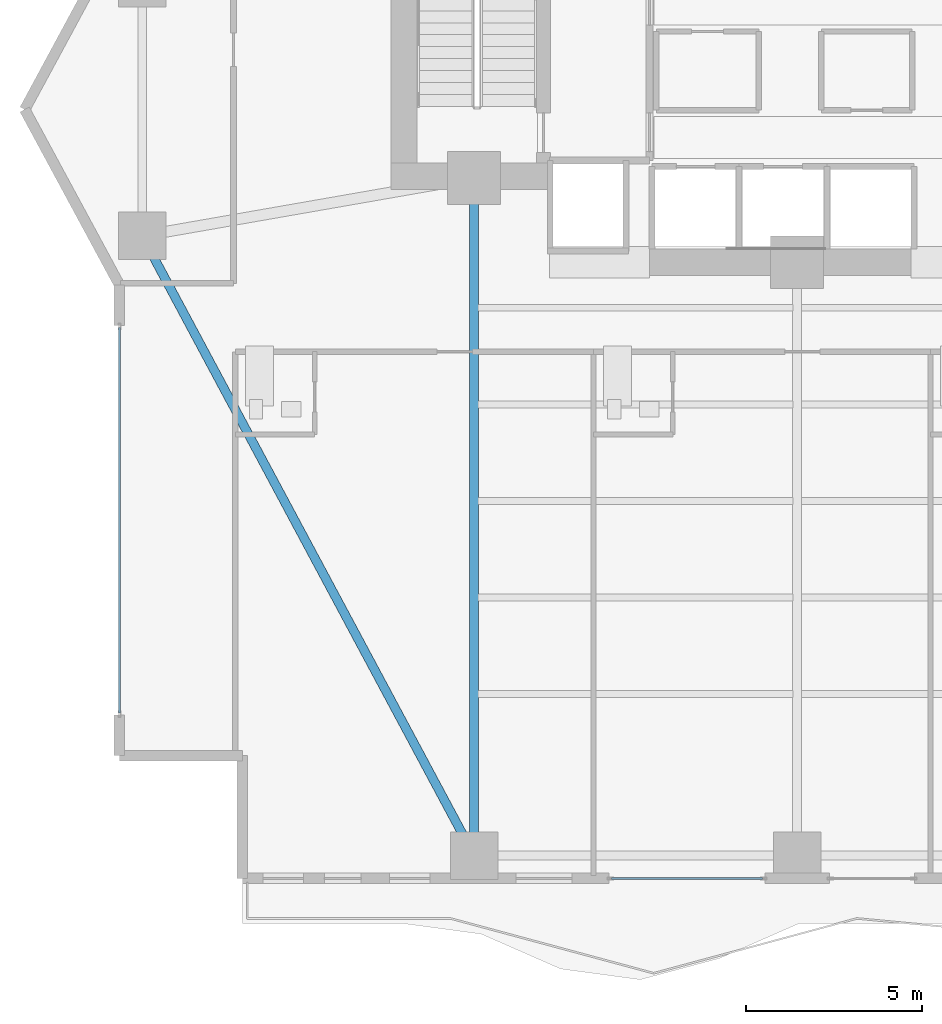
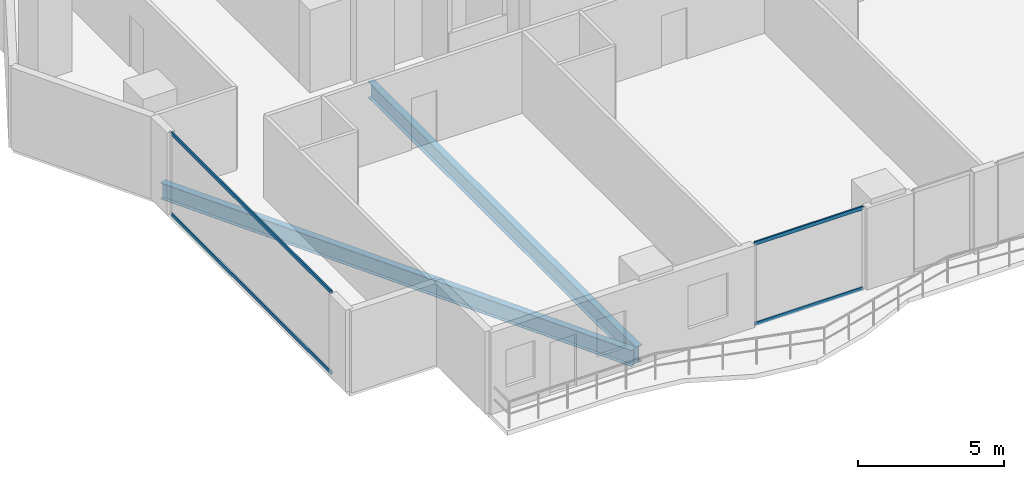
# One storey, part 3 of 28: 4 members, 2 beams, 2 elements without a shape of their own.
"""IFC4 building model written with IfcOpenShell, lengths in metres."""

from ifc_helpers import new_model, si_unit, direction, frame, origin, origin_2d, place, context, subcontext, project, spatial, hollow_rectangle, i_section, extrude, material, layer, layer_set, material_profile, profile_set, type_object, element, aggregate, save


model = new_model("IFC4")

# Units and contexts
model_context = context("Model", 3, precision=1e-05, world=origin(), true_north=direction((0.0, 1.0)))
body_context = subcontext(model_context, "Body", "Model", "MODEL_VIEW")
ifc_project = project(units=[si_unit("LENGTHUNIT", "METRE"), si_unit("AREAUNIT", "SQUARE_METRE"), si_unit("VOLUMEUNIT", "CUBIC_METRE"), si_unit("PLANEANGLEUNIT", "RADIAN"), si_unit("MASSUNIT", "GRAM", prefix="KILO")], contexts=[model_context])

# Site, building, storey
site_placement = place(None, origin())
site = spatial("IfcSite", under=ifc_project, at=site_placement, CompositionType="ELEMENT")
building_placement = place(site_placement, origin())
building = spatial("IfcBuilding", under=site, at=building_placement, Name="Zuhayl Quay Hotel", CompositionType="ELEMENT")
storey_placement = place(building_placement, frame((0.0, 0.0, 146.75)))
storey = spatial("IfcBuildingStorey", under=building, at=storey_placement, Name="L37", CompositionType="ELEMENT", Elevation=146.75)

# Beams
ifc_material_1 = material(Name="Steel ASTM A992 Grade 50", Category="steel")
ifc_material_profile_1 = material_profile(ifc_material_1, i_section(OverallWidth=0.25390625, OverallDepth=0.68310546875, WebThickness=0.012451171875, FlangeThickness=0.018798828125, at=origin_2d()), Name="W27X94")
ifc_profile_set_1 = profile_set([ifc_material_profile_1], Name="Steel ASTM A992 Grade 50")
beam_type = type_object("IfcBeamType", Name="BM_B2_W27X94", PredefinedType="BEAM", material=ifc_profile_set_1)
beam_1_placement = place(storey_placement, frame((-23.013916015625, 2.459228515625, -0.5615234375), z_axis=(0.472017301959, -0.88158928456, 0.0), x_axis=(0.88158928456, 0.472017301959, 0.0)))
element("IfcBeam", 1, at=beam_1_placement, inside=storey, type_object=beam_type, Name="L37 Floor Beam RG_L37_12", PredefinedType="BEAM", context=body_context, shape_type="SweptSolid", body=[
    extrude(i_section(OverallWidth=0.25390625, OverallDepth=0.68310546875, WebThickness=0.012451171875, FlangeThickness=0.018798828125, at=origin_2d()), origin(), (0.0, 0.0, 1.0), 19.0205078125),
])
beam_2_placement = place(storey_placement, frame((-13.800048828125, -14.25, -0.5615234375), z_axis=(0.0, 1.0, 0.0), x_axis=(-1.0, 0.0, 0.0)))
element("IfcBeam", 2, at=beam_2_placement, inside=storey, type_object=beam_type, Name="L37 Floor Beam FG_S_L37_1", PredefinedType="BEAM", context=body_context, shape_type="SweptSolid", body=[
    extrude(i_section(OverallWidth=0.25390625, OverallDepth=0.68310546875, WebThickness=0.012451171875, FlangeThickness=0.018798828125, at=origin_2d()), origin(), (0.0, 0.0, 1.0), 18.35009765625),
])

# Curtain wall, members
ifc_material_2 = material(Name="Anodised Aluminium 6063-T6", Category="aluminium")
ifc_layer = layer(ifc_material_2, 0.179931640625, Name="Anodised Aluminium 6063-T6", Category="aluminium")
ifc_layer_set = layer_set([ifc_layer], Name="Anodised Aluminium 6063-T6")
curtain_wall_type = type_object("IfcCurtainWallType", Name="CW_SYS_Z2", PredefinedType="USERDEFINED", material=ifc_layer_set)
curtain_wall_1_placement = place(storey_placement, origin())
curtain_wall_1 = element("IfcCurtainWall", 3, at=curtain_wall_1_placement, inside=storey, type_object=curtain_wall_type, Name="L37 Curtain Wall ENV_L37_E02_CW1", ObjectType="UNITISED CURTAIN WALL", PredefinedType="USERDEFINED")
ifc_material_3 = material(Name="Black-anodised aluminium 6063-T6", Category="aluminium")
ifc_material_profile_2 = material_profile(ifc_material_3, hollow_rectangle(XDim=0.06005859375, YDim=0.14990234375, WallThickness=0.00341796875, at=origin_2d()), Name="ALU150X60")
ifc_profile_set_2 = profile_set([ifc_material_profile_2], Name="Black-anodised aluminium 6063-T6")
member_type = type_object("IfcMemberType", Name="MB_CW_TRN_150", PredefinedType="USERDEFINED", material=ifc_profile_set_2)
member_1_placement = place(storey_placement, frame((-23.89990234375, -10.68505859375, 0.030029296875), z_axis=(0.0, 1.0, 0.0), x_axis=(-1.0, 0.0, 0.0)))
member_1 = element("IfcMember", 4, at=member_1_placement, type_object=member_type, Name="CW-Z2 transom 1.1", ObjectType="TRANSOM", PredefinedType="USERDEFINED", context=body_context, shape_type="SweptSolid", body=[
    extrude(hollow_rectangle(XDim=0.06005859375, YDim=0.14990234375, WallThickness=0.00341796875, at=origin_2d()), origin(), (0.0, 0.0, 1.0), 10.969970703125),
])
member_2_placement = place(storey_placement, frame((-23.89990234375, -10.68505859375, 3.39990234375), z_axis=(0.0, 1.0, 0.0), x_axis=(-1.0, 0.0, 0.0)))
member_2 = element("IfcMember", 5, at=member_2_placement, type_object=member_type, Name="CW-Z2 transom 1.2", ObjectType="TRANSOM", PredefinedType="USERDEFINED", context=body_context, shape_type="SweptSolid", body=[
    extrude(hollow_rectangle(XDim=0.06005859375, YDim=0.14990234375, WallThickness=0.00341796875, at=origin_2d()), origin(), (0.0, 0.0, 1.0), 10.969970703125),
])
aggregate(curtain_wall_1, [member_1, member_2])

curtain_wall_2_placement = place(storey_placement, origin())
curtain_wall_2 = element("IfcCurtainWall", 6, at=curtain_wall_2_placement, inside=storey, type_object=curtain_wall_type, Name="L37 Curtain Wall ENV_L37_S_CW6", ObjectType="UNITISED CURTAIN WALL", PredefinedType="USERDEFINED")
member_3_placement = place(storey_placement, frame((-5.5849609375, -15.39990234375, 0.030029296875), z_axis=(-1.0, 0.0, 0.0), x_axis=(0.0, -1.0, 0.0)))
member_3 = element("IfcMember", 7, at=member_3_placement, type_object=member_type, Name="CW-Z2 transom 1.1", ObjectType="TRANSOM", PredefinedType="USERDEFINED", context=body_context, shape_type="SweptSolid", body=[
    extrude(hollow_rectangle(XDim=0.06005859375, YDim=0.14990234375, WallThickness=0.00341796875, at=origin_2d()), origin(), (0.0, 0.0, 1.0), 4.300048828125),
])
member_4_placement = place(storey_placement, frame((-5.5849609375, -15.39990234375, 3.39990234375), z_axis=(-1.0, 0.0, 0.0), x_axis=(0.0, -1.0, 0.0)))
member_4 = element("IfcMember", 8, at=member_4_placement, type_object=member_type, Name="CW-Z2 transom 1.2", ObjectType="TRANSOM", PredefinedType="USERDEFINED", context=body_context, shape_type="SweptSolid", body=[
    extrude(hollow_rectangle(XDim=0.06005859375, YDim=0.14990234375, WallThickness=0.00341796875, at=origin_2d()), origin(), (0.0, 0.0, 1.0), 4.300048828125),
])
aggregate(curtain_wall_2, [member_3, member_4])

save(model, "model.ifc")
